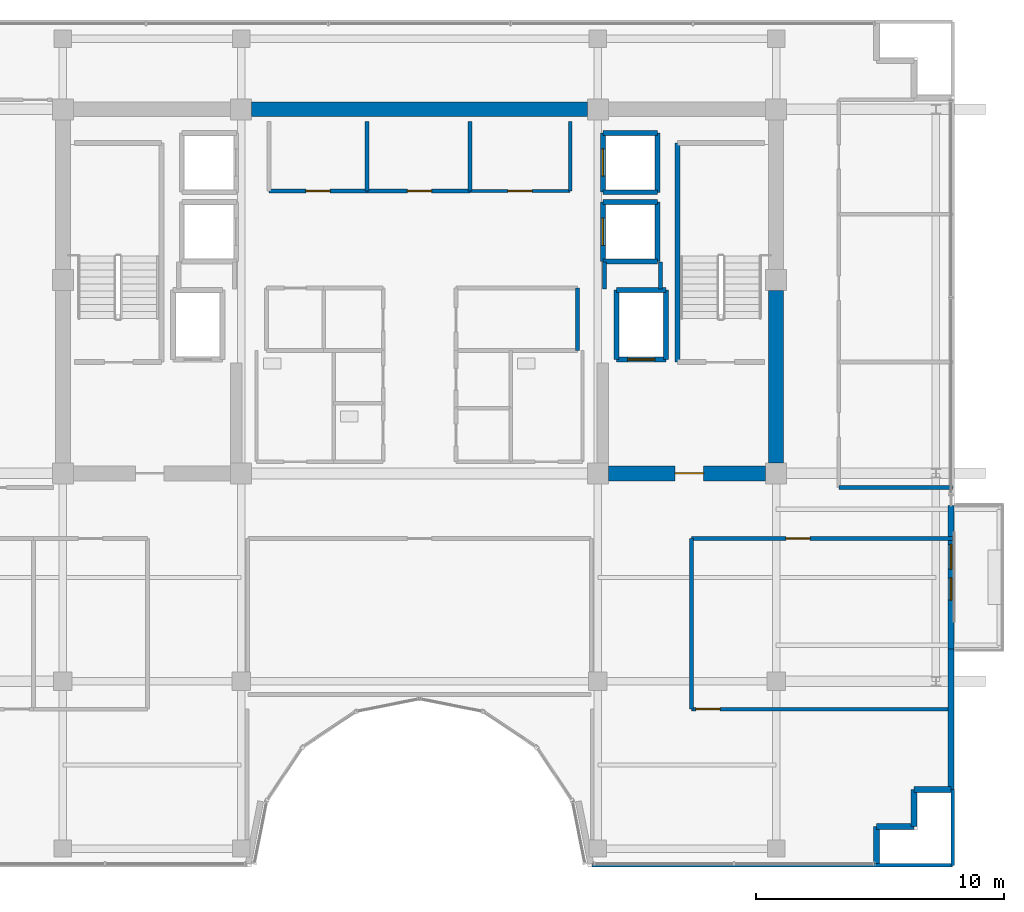
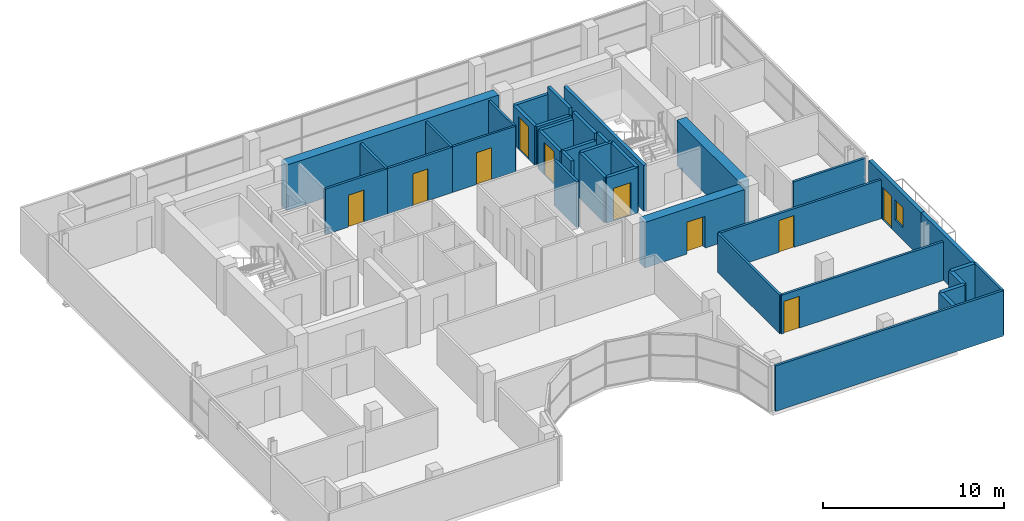
# One storey, part 25 of 29: 37 walls, 10 doors, 1 window, 11 openings.
"""IFC4 building model written with IfcOpenShell, lengths in metres."""

from ifc_helpers import new_model, si_unit, direction, frame, frame_2d, origin, place, context, subcontext, project, spatial, rectangle, extrude, source, transform, mapped, material, layer, layer_set, type_object, element, fill, save


model = new_model("IFC4")

# Units and contexts
model_context = context("Model", 3, precision=1e-05, world=origin(), true_north=direction((0.0, 1.0)))
body_context = subcontext(model_context, "Body", "Model", "MODEL_VIEW")
ifc_project = project(units=[si_unit("LENGTHUNIT", "METRE"), si_unit("AREAUNIT", "SQUARE_METRE"), si_unit("VOLUMEUNIT", "CUBIC_METRE"), si_unit("PLANEANGLEUNIT", "RADIAN"), si_unit("MASSUNIT", "GRAM", prefix="KILO")], contexts=[model_context])

# Site, building, storey
site_placement = place(None, origin())
site = spatial("IfcSite", under=ifc_project, at=site_placement, CompositionType="ELEMENT")
building_placement = place(site_placement, origin())
building = spatial("IfcBuilding", under=site, at=building_placement, Name="Zarnakvel Exchange Tower", CompositionType="ELEMENT")
storey_placement = place(building_placement, frame((0.0, 0.0, 258.39990234375)))
storey = spatial("IfcBuildingStorey", under=building, at=storey_placement, Name="L73", CompositionType="ELEMENT", Elevation=258.39990234375)

# Walls
ifc_material_1 = material(Name="Concrete C50/60", Category="concrete")
ifc_layer_1 = layer(ifc_material_1, 0.60009765625)
ifc_layer_set_1 = layer_set([ifc_layer_1], Name="Concrete C50/60")
wall_type_1 = type_object("IfcWallType", Name="CW-C5", PredefinedType="SHEAR", material=ifc_layer_set_1)
wall_1_placement = place(storey_placement, frame((-6.77490234375, 13.5, 0.0), z_axis=(0.0, 0.0, 1.0), x_axis=(1.0, 0.0, 0.0)))
element("IfcWall", 1, at=wall_1_placement, inside=storey, type_object=wall_type_1, Name="L73 Rear Core Shear Wall N2 (CW-C5)", PredefinedType="SHEAR", context=body_context, shape_type="SweptSolid", body=[
    extrude(rectangle(XDim=13.5498046875, YDim=0.60009765625, at=frame_2d((6.77490234375, 0.0))), origin(), (0.0, 0.0, 1.0), 3.0751953125),
])
wall_2_placement = place(storey_placement, frame((14.39990234375, -0.77490234375, 0.0), z_axis=(0.0, 0.0, 1.0), x_axis=(0.0, 1.0, 0.0)))
element("IfcWall", 2, at=wall_2_placement, inside=storey, type_object=wall_type_1, Name="L73 Rear Core Shear Wall E1 (CW-C5)", PredefinedType="SHEAR", context=body_context, shape_type="SweptSolid", body=[
    extrude(rectangle(XDim=6.949951171875, YDim=0.60009765625, at=frame_2d((3.47509765625, 0.0))), origin(), (0.0, 0.0, 1.0), 3.0751953125),
])

# Wall, opening, door
wall_3_placement = place(storey_placement, frame((13.97509765625, -1.199951171875, 0.0), z_axis=(0.0, 0.0, 1.0), x_axis=(-1.0, 0.0, 0.0)))
wall_3 = element("IfcWall", 3, at=wall_3_placement, inside=storey, type_object=wall_type_1, Name="L73 Rear Core Shear Wall SE (CW-C5)", PredefinedType="SHEAR", context=body_context, shape_type="SweptSolid", body=[
    extrude(rectangle(XDim=6.35009765625, YDim=0.60009765625, at=frame_2d((3.175048828125, 0.0))), origin(), (0.0, 0.0, 1.0), 3.0751953125),
])
opening_1_placement = place(wall_3_placement, frame((2.5, 0.0, 0.0)))
opening_1 = element("IfcOpeningElement", 4, at=opening_1_placement, cuts=wall_3, Name="Opening D-L73-04", PredefinedType="OPENING", context=body_context, shape_type="SweptSolid", body=[
    extrude(rectangle(XDim=1.14990234375, YDim=2.14990234375, at=frame_2d((0.574951171875, 1.074951171875))), frame((0.0, 0.31005859375, 0.0), z_axis=(0.0, -1.0, 0.0), x_axis=(1.0, 0.0, 0.0)), (0.0, 0.0, 1.0), 0.6201171875),
])
ifc_material_2 = material(Name="Painted Galvanised Steel S355", Category="steel")
door_type_1 = type_object("IfcDoorType", Name="DT-04", OperationType="NOTDEFINED", PredefinedType="DOOR", material=ifc_material_2)
shared_shape_1 = source(origin(), body_context, "Body", "SweptSolid", [
    extrude(rectangle(XDim=1.14990234375, YDim=2.14990234375, at=frame_2d((0.574951171875, 1.074951171875))), frame((0.0, 0.02490234375, 0.0), z_axis=(0.0, -1.0, 0.0), x_axis=(1.0, 0.0, 0.0)), (0.0, 0.0, 1.0), 0.050048828125),
])
door_1_placement = place(opening_1_placement, origin())
door_1 = element("IfcDoor", 5, at=door_1_placement, inside=storey, type_object=door_type_1, Name="L73 Firefighting Lobby East Door D-L73-04", OperationType="SINGLE_SWING_RIGHT", OverallHeight=2.14990234375, OverallWidth=1.14990234375, PredefinedType="DOOR", context=body_context, shape_type="MappedRepresentation", body=[
    mapped(shared_shape_1, transform((0.0, 0.0, 0.0), x_axis=(1.0, 0.0, 0.0), y_axis=(0.0, 1.0, 0.0), z_axis=(0.0, 0.0, 1.0), scale=1.0)),
])
fill(opening_1, door_1)

# Wall, openings, door, window
ifc_material_3 = material(Name="Precast concrete C40/50", Category="concrete")
ifc_layer_2 = layer(ifc_material_3, 0.239990234375)
ifc_layer_set_2 = layer_set([ifc_layer_2], Name="Precast concrete C40/50")
wall_type_2 = type_object("IfcWallType", Name="EW-02", PredefinedType="SOLIDWALL", material=ifc_layer_set_2)
wall_4_placement = place(storey_placement, frame((21.4599609375, -2.5, 0.0), z_axis=(0.0, 0.0, 1.0), x_axis=(0.0, -1.0, 0.0)))
wall_4 = element("IfcWall", 6, at=wall_4_placement, inside=storey, type_object=wall_type_2, Name="L73 Exterior Precast Spandrel Wall EW-BAL-L73-E (EW-02)", PredefinedType="SOLIDWALL", context=body_context, shape_type="SweptSolid", body=[
    extrude(rectangle(XDim=5.800048828125, YDim=0.239990234375, at=frame_2d((2.89990234375, 0.0))), origin(), (0.0, 0.0, 1.0), 3.0751953125),
])
opening_2_placement = place(wall_4_placement, frame((1.56591796875, 0.0, 0.0)))
opening_2 = element("IfcOpeningElement", 7, at=opening_2_placement, cuts=wall_4, Name="Opening BD-L73-01", PredefinedType="OPENING", context=body_context, shape_type="SweptSolid", body=[
    extrude(rectangle(XDim=1.0, YDim=2.199951171875, at=frame_2d((0.5, 1.10009765625))), frame((0.0, 0.1298828125, 0.0), z_axis=(0.0, -1.0, 0.0), x_axis=(1.0, 0.0, 0.0)), (0.0, 0.0, 1.0), 0.260009765625),
])
opening_3_placement = place(wall_4_placement, frame((2.916015625, 0.0, 0.85009765625)))
opening_3 = element("IfcOpeningElement", 8, at=opening_3_placement, cuts=wall_4, Name="Opening WN-06", PredefinedType="OPENING", context=body_context, shape_type="SweptSolid", body=[
    extrude(rectangle(XDim=0.89990234375, YDim=1.35009765625, at=frame_2d((0.449951171875, 0.675048828125))), frame((0.0, 0.1298828125, 0.0), z_axis=(0.0, -1.0, 0.0), x_axis=(1.0, 0.0, 0.0)), (0.0, 0.0, 1.0), 0.260009765625),
])
ifc_material_4 = material(Name="Architectural Bronze Anodised Aluminium", Category="aluminium")
door_type_2 = type_object("IfcDoorType", Name="DT-09", OperationType="NOTDEFINED", PredefinedType="DOOR", material=ifc_material_4)
shared_shape_2 = source(origin(), body_context, "Body", "SweptSolid", [
    extrude(rectangle(XDim=1.0, YDim=2.199951171875, at=frame_2d((0.5, 1.10009765625))), frame((0.0, 0.02490234375, 0.0), z_axis=(0.0, -1.0, 0.0), x_axis=(1.0, 0.0, 0.0)), (0.0, 0.0, 1.0), 0.050048828125),
])
door_2_placement = place(opening_2_placement, origin())
door_2 = element("IfcDoor", 9, at=door_2_placement, inside=storey, type_object=door_type_2, Name="L73 Planted Loggia Balcony Door BD-L73-01", OperationType="SINGLE_SWING_LEFT", OverallHeight=2.199951171875, OverallWidth=1.0, PredefinedType="DOOR", context=body_context, shape_type="MappedRepresentation", body=[
    mapped(shared_shape_2, transform((0.0, 0.0, 0.0), x_axis=(1.0, 0.0, 0.0), y_axis=(0.0, 1.0, 0.0), z_axis=(0.0, 0.0, 1.0), scale=1.0)),
])
fill(opening_2, door_2)
ifc_material_5 = material(Name="Double Low-E Laminated Vision Glass", Category="glass")
window_type = type_object("IfcWindowType", Name="WN-06", PartitioningType="SINGLE_PANEL", PredefinedType="WINDOW", material=ifc_material_5)
shared_shape_3 = source(origin(), body_context, "Body", "SweptSolid", [
    extrude(rectangle(XDim=0.89990234375, YDim=1.35009765625, at=frame_2d((0.449951171875, 0.675048828125))), frame((0.0, 0.030029296875, 0.0), z_axis=(0.0, -1.0, 0.0), x_axis=(1.0, 0.0, 0.0)), (0.0, 0.0, 1.0), 0.06005859375),
])
window_placement = place(opening_3_placement, origin())
window = element("IfcWindow", 10, at=window_placement, inside=storey, type_object=window_type, Name="L73 Loggia Daylight Window (WN-06)", OverallHeight=1.35009765625, OverallWidth=0.89990234375, PartitioningType="SINGLE_PANEL", PredefinedType="WINDOW", context=body_context, shape_type="MappedRepresentation", body=[
    mapped(shared_shape_3, transform((0.0, 0.0, 0.0), x_axis=(1.0, 0.0, 0.0), y_axis=(0.0, 1.0, 0.0), z_axis=(0.0, 0.0, 1.0), scale=1.0)),
])
fill(opening_3, window)

# Walls
wall_5_placement = place(storey_placement, frame((21.4599609375, -13.9599609375, 0.0), z_axis=(0.0, 0.0, 1.0), x_axis=(0.0, 1.0, 0.0)))
element("IfcWall", 11, at=wall_5_placement, inside=storey, type_object=wall_type_2, Name="L73 Exterior Precast Spandrel Wall EWC-L73-10 (EW-02)", PredefinedType="SOLIDWALL", context=body_context, shape_type="SweptSolid", body=[
    extrude(rectangle(XDim=5.659912109375, YDim=0.239990234375, at=frame_2d((2.830078125, 0.0))), origin(), (0.0, 0.0, 1.0), 3.0751953125),
])
for number, where, z_axis, x_axis, name in (
    (12, (19.9599609375, -13.9599609375, 0.0), (0.0, 0.0, 1.0), (1.0, 0.0, 0.0), "L73 Exterior Precast Spandrel Wall EWC-L73-11 (EW-02)"),
    (13, (19.9599609375, -15.4599609375, 0.0), (0.0, 0.0, 1.0), (0.0, 1.0, 0.0), "L73 Exterior Precast Spandrel Wall EWC-L73-12 (EW-02)"),
    (14, (18.4599609375, -15.4599609375, 0.0), (0.0, 0.0, 1.0), (1.0, 0.0, 0.0), "L73 Exterior Precast Spandrel Wall EWC-L73-13 (EW-02)"),
    (15, (18.4599609375, -16.9599609375, 0.0), (0.0, 0.0, 1.0), (0.0, 1.0, 0.0), "L73 Exterior Precast Spandrel Wall EWC-L73-14 (EW-02)"),
):
    element("IfcWall", number, at=place(storey_placement, frame(where, z_axis=z_axis, x_axis=x_axis)), inside=storey, type_object=wall_type_2, Name=name, PredefinedType="SOLIDWALL", context=body_context, shape_type="SweptSolid", body=[
        extrude(rectangle(XDim=1.5, YDim=0.239990234375, at=frame_2d((0.75, 0.0))), origin(), (0.0, 0.0, 1.0), 3.0751953125),
    ])

# Wall, opening, door
ifc_material_6 = material(Name="Fire-Rated Gypsum Stud Partition", Category="gypsum")
ifc_layer_3 = layer(ifc_material_6, 0.14990234375)
ifc_layer_set_3 = layer_set([ifc_layer_3], Name="Fire-Rated Gypsum Stud Partition")
wall_type_3 = type_object("IfcWallType", Name="PT-01", PredefinedType="PARTITIONING", material=ifc_layer_set_3)
wall_6_placement = place(storey_placement, frame((-2.1201171875, 10.199951171875, 0.0), z_axis=(0.0, 0.0, 1.0), x_axis=(-1.0, 0.0, 0.0)))
wall_6 = element("IfcWall", 16, at=wall_6_placement, inside=storey, type_object=wall_type_3, Name="L73 Partition Wall PWALL-L73-011 (PT-01)", PredefinedType="PARTITIONING", context=body_context, shape_type="SweptSolid", body=[
    extrude(rectangle(XDim=3.9599609375, YDim=0.14990234375, at=frame_2d((1.97998046875, 0.0))), origin(), (0.0, 0.0, 1.0), 3.0751953125),
])
opening_4_placement = place(wall_6_placement, frame((1.489990234375, 0.0, 0.0)))
opening_4 = element("IfcOpeningElement", 17, at=opening_4_placement, cuts=wall_6, Name="Opening D-L73-05", PredefinedType="OPENING", context=body_context, shape_type="SweptSolid", body=[
    extrude(rectangle(XDim=0.97998046875, YDim=2.14990234375, at=frame_2d((0.489990234375, 1.074951171875))), frame((0.0, 0.0849609375, 0.0), z_axis=(0.0, -1.0, 0.0), x_axis=(1.0, 0.0, 0.0)), (0.0, 0.0, 1.0), 0.169921875),
])
ifc_material_7 = material(Name="Timber Acoustic Veneer", Category="wood")
door_type_3 = type_object("IfcDoorType", Name="DT-05", OperationType="NOTDEFINED", PredefinedType="DOOR", material=ifc_material_7)
shared_shape_4 = source(origin(), body_context, "Body", "SweptSolid", [
    extrude(rectangle(XDim=0.97998046875, YDim=2.14990234375, at=frame_2d((0.489990234375, 1.074951171875))), frame((0.0, 0.02490234375, 0.0), z_axis=(0.0, -1.0, 0.0), x_axis=(1.0, 0.0, 0.0)), (0.0, 0.0, 1.0), 0.050048828125),
])
door_3_placement = place(opening_4_placement, origin())
door_3 = element("IfcDoor", 18, at=door_3_placement, inside=storey, type_object=door_type_3, Name="L73 Clearing Records Office Door D-L73-05", OperationType="SINGLE_SWING_LEFT", OverallHeight=2.14990234375, OverallWidth=0.97998046875, PredefinedType="DOOR", context=body_context, shape_type="MappedRepresentation", body=[
    mapped(shared_shape_4, transform((0.0, 0.0, 0.0), x_axis=(1.0, 0.0, 0.0), y_axis=(0.0, 1.0, 0.0), z_axis=(0.0, 0.0, 1.0), scale=1.0)),
])
fill(opening_4, door_3)

# Wall
wall_7_placement = place(storey_placement, frame((-2.1201171875, 13.0, 0.0), z_axis=(0.0, 0.0, 1.0), x_axis=(0.0, -1.0, 0.0)))
element("IfcWall", 19, at=wall_7_placement, inside=storey, type_object=wall_type_3, Name="L73 Partition Wall PWALL-L73-013 (PT-01)", PredefinedType="PARTITIONING", context=body_context, shape_type="SweptSolid", body=[
    extrude(rectangle(XDim=2.800048828125, YDim=0.14990234375, at=frame_2d((1.39990234375, 0.0))), origin(), (0.0, 0.0, 1.0), 3.0751953125),
])

# Wall, opening, door
wall_8_placement = place(storey_placement, frame((2.0400390625, 10.199951171875, 0.0), z_axis=(0.0, 0.0, 1.0), x_axis=(-1.0, 0.0, 0.0)))
wall_8 = element("IfcWall", 20, at=wall_8_placement, inside=storey, type_object=wall_type_3, Name="L73 Partition Wall PWALL-L73-014 (PT-01)", PredefinedType="PARTITIONING", context=body_context, shape_type="SweptSolid", body=[
    extrude(rectangle(XDim=4.16015625, YDim=0.14990234375, at=frame_2d((2.080078125, 0.0))), origin(), (0.0, 0.0, 1.0), 3.0751953125),
])
opening_5_placement = place(wall_8_placement, frame((1.550048828125, 0.0, 0.0)))
opening_5 = element("IfcOpeningElement", 21, at=opening_5_placement, cuts=wall_8, Name="Opening D-L73-06", PredefinedType="OPENING", context=body_context, shape_type="SweptSolid", body=[
    extrude(rectangle(XDim=0.97998046875, YDim=2.14990234375, at=frame_2d((0.489990234375, 1.074951171875))), frame((0.0, 0.0849609375, 0.0), z_axis=(0.0, -1.0, 0.0), x_axis=(1.0, 0.0, 0.0)), (0.0, 0.0, 1.0), 0.169921875),
])
door_4_placement = place(opening_5_placement, origin())
door_4 = element("IfcDoor", 22, at=door_4_placement, inside=storey, type_object=door_type_3, Name="L73 Brokerage Filing Room Door D-L73-06", OperationType="SINGLE_SWING_RIGHT", OverallHeight=2.14990234375, OverallWidth=0.97998046875, PredefinedType="DOOR", context=body_context, shape_type="MappedRepresentation", body=[
    mapped(shared_shape_4, transform((0.0, 0.0, 0.0), x_axis=(1.0, 0.0, 0.0), y_axis=(0.0, 1.0, 0.0), z_axis=(0.0, 0.0, 1.0), scale=1.0)),
])
fill(opening_5, door_4)

# Walls
wall_9_placement = place(storey_placement, frame((2.0400390625, 13.0, 0.0), z_axis=(0.0, 0.0, 1.0), x_axis=(0.0, -1.0, 0.0)))
element("IfcWall", 23, at=wall_9_placement, inside=storey, type_object=wall_type_3, Name="L73 Partition Wall PWALL-L73-015 (PT-01)", PredefinedType="PARTITIONING", context=body_context, shape_type="SweptSolid", body=[
    extrude(rectangle(XDim=2.800048828125, YDim=0.14990234375, at=frame_2d((1.39990234375, 0.0))), origin(), (0.0, 0.0, 1.0), 3.0751953125),
])
wall_10_placement = place(storey_placement, frame((6.3798828125, 6.280029296875, 0.0), z_axis=(0.0, 0.0, 1.0), x_axis=(0.0, -1.0, 0.0)))
element("IfcWall", 24, at=wall_10_placement, inside=storey, type_object=wall_type_3, Name="L73 Partition Wall PWALL-L73-028 (PT-01)", PredefinedType="PARTITIONING", context=body_context, shape_type="SweptSolid", body=[
    extrude(rectangle(XDim=2.52001953125, YDim=0.14990234375, at=frame_2d((1.260009765625, 0.0))), origin(), (0.0, 0.0, 1.0), 3.0751953125),
])

# Wall, opening, door
wall_11_placement = place(storey_placement, frame((21.530029296875, -10.719970703125, 0.0), z_axis=(0.0, 0.0, 1.0), x_axis=(-1.0, 0.0, 0.0)))
wall_11 = element("IfcWall", 25, at=wall_11_placement, inside=storey, type_object=wall_type_3, Name="L73 Partition Wall PWALL-L73-054 (PT-01)", PredefinedType="PARTITIONING", context=body_context, shape_type="SweptSolid", body=[
    extrude(rectangle(XDim=10.550048828125, YDim=0.14990234375, at=frame_2d((5.27490234375, 0.0))), origin(), (0.0, 0.0, 1.0), 2.614990234375),
])
opening_6_placement = place(wall_11_placement, frame((9.389892578125, 0.0, 0.0)))
opening_6 = element("IfcOpeningElement", 26, at=opening_6_placement, cuts=wall_11, Name="Opening D-L73-21", PredefinedType="OPENING", context=body_context, shape_type="SweptSolid", body=[
    extrude(rectangle(XDim=0.97998046875, YDim=2.14990234375, at=frame_2d((0.489990234375, 1.074951171875))), frame((0.0, 0.0849609375, 0.0), z_axis=(0.0, -1.0, 0.0), x_axis=(1.0, 0.0, 0.0)), (0.0, 0.0, 1.0), 0.169921875),
])
door_5_placement = place(opening_6_placement, origin())
door_5 = element("IfcDoor", 27, at=door_5_placement, inside=storey, type_object=door_type_3, Name="L73 Clearing Office Door D-L73-21", OperationType="SINGLE_SWING_LEFT", OverallHeight=2.14990234375, OverallWidth=0.97998046875, PredefinedType="DOOR", context=body_context, shape_type="MappedRepresentation", body=[
    mapped(shared_shape_4, transform((0.0, 0.0, 0.0), x_axis=(1.0, 0.0, 0.0), y_axis=(0.0, 1.0, 0.0), z_axis=(0.0, 0.0, 1.0), scale=1.0)),
])
fill(opening_6, door_5)

wall_12_placement = place(storey_placement, frame((10.97998046875, -3.830078125, 0.0), z_axis=(0.0, 0.0, 1.0), x_axis=(1.0, 0.0, 0.0)))
wall_12 = element("IfcWall", 28, at=wall_12_placement, inside=storey, type_object=wall_type_3, Name="L73 Partition Wall PWALL-L73-055 (PT-01)", PredefinedType="PARTITIONING", context=body_context, shape_type="SweptSolid", body=[
    extrude(rectangle(XDim=10.550048828125, YDim=0.14990234375, at=frame_2d((5.27490234375, 0.0))), origin(), (0.0, 0.0, 1.0), 2.614990234375),
])
opening_7_placement = place(wall_12_placement, frame((3.81005859375, 0.0, 0.0)))
opening_7 = element("IfcOpeningElement", 29, at=opening_7_placement, cuts=wall_12, Name="Opening D-L73-20", PredefinedType="OPENING", context=body_context, shape_type="SweptSolid", body=[
    extrude(rectangle(XDim=0.97998046875, YDim=2.14990234375, at=frame_2d((0.489990234375, 1.074951171875))), frame((0.0, 0.0849609375, 0.0), z_axis=(0.0, -1.0, 0.0), x_axis=(1.0, 0.0, 0.0)), (0.0, 0.0, 1.0), 0.169921875),
])
door_6_placement = place(opening_7_placement, origin())
door_6 = element("IfcDoor", 30, at=door_6_placement, inside=storey, type_object=door_type_3, Name="L73 Executive Office Door D-L73-20", OperationType="SINGLE_SWING_RIGHT", OverallHeight=2.14990234375, OverallWidth=0.97998046875, PredefinedType="DOOR", context=body_context, shape_type="MappedRepresentation", body=[
    mapped(shared_shape_4, transform((0.0, 0.0, 0.0), x_axis=(1.0, 0.0, 0.0), y_axis=(0.0, 1.0, 0.0), z_axis=(0.0, 0.0, 1.0), scale=1.0)),
])
fill(opening_7, door_6)

# Walls
wall_13_placement = place(storey_placement, frame((10.97998046875, -10.719970703125, 0.0), z_axis=(0.0, 0.0, 1.0), x_axis=(0.0, 1.0, 0.0)))
element("IfcWall", 31, at=wall_13_placement, inside=storey, type_object=wall_type_3, Name="L73 Partition Wall PWALL-L73-056 (PT-01)", PredefinedType="PARTITIONING", context=body_context, shape_type="SweptSolid", body=[
    extrude(rectangle(XDim=6.889892578125, YDim=0.14990234375, at=frame_2d((3.44482421875, 0.0))), origin(), (0.0, 0.0, 1.0), 2.614990234375),
])
wall_14_placement = place(storey_placement, frame((21.530029296875, -17.030029296875, 0.0), z_axis=(0.0, 0.0, 1.0), x_axis=(-1.0, 0.0, 0.0)))
element("IfcWall", 32, at=wall_14_placement, inside=storey, type_object=wall_type_3, Name="L73 Partition Wall PWALL-L73-058 (PT-01)", PredefinedType="PARTITIONING", context=body_context, shape_type="SweptSolid", body=[
    extrude(rectangle(XDim=14.56005859375, YDim=0.14990234375, at=frame_2d((7.280029296875, 0.0))), origin(), (0.0, 0.0, 1.0), 3.0751953125),
])
wall_15_placement = place(storey_placement, frame((21.530029296875, -13.9599609375, 0.0), z_axis=(0.0, 0.0, 1.0), x_axis=(0.0, -1.0, 0.0)))
element("IfcWall", 33, at=wall_15_placement, inside=storey, type_object=wall_type_3, Name="L73 Partition Wall PWALL-L73-060 (PT-01)", PredefinedType="PARTITIONING", context=body_context, shape_type="SweptSolid", body=[
    extrude(rectangle(XDim=3.070068359375, YDim=0.14990234375, at=frame_2d((1.53515625, 0.0))), origin(), (0.0, 0.0, 1.0), 3.0751953125),
])
wall_16_placement = place(storey_placement, frame((21.530029296875, -1.77001953125, 0.0), z_axis=(0.0, 0.0, 1.0), x_axis=(-1.0, 0.0, 0.0)))
element("IfcWall", 34, at=wall_16_placement, inside=storey, type_object=wall_type_3, Name="L73 Partition Wall PWALL-L73-068 (PT-01)", PredefinedType="PARTITIONING", context=body_context, shape_type="SweptSolid", body=[
    extrude(rectangle(XDim=4.60009765625, YDim=0.14990234375, at=frame_2d((2.300048828125, 0.0))), origin(), (0.0, 0.0, 1.0), 2.76513671875),
])
ifc_layer_4 = layer(ifc_material_6, 0.179931640625)
ifc_layer_set_4 = layer_set([ifc_layer_4], Name="Fire-Rated Gypsum Stud Partition")
wall_type_4 = type_object("IfcWallType", Name="PT-02", PredefinedType="PARTITIONING", material=ifc_layer_set_4)
wall_17_placement = place(storey_placement, frame((7.469970703125, 6.239990234375, 0.0), z_axis=(0.0, 0.0, 1.0), x_axis=(0.0, 1.0, 0.0)))
element("IfcWall", 35, at=wall_17_placement, inside=storey, type_object=wall_type_4, Name="L73 Partition Wall PWALL-L73-009 (PT-02)", PredefinedType="PARTITIONING", context=body_context, shape_type="SweptSolid", body=[
    extrude(rectangle(XDim=1.090087890625, YDim=0.179931640625, at=frame_2d((0.544921875, 0.0))), origin(), (0.0, 0.0, 1.0), 2.614990234375),
])
wall_18_placement = place(storey_placement, frame((9.72998046875, 7.330078125, 0.0), z_axis=(0.0, 0.0, 1.0), x_axis=(0.0, -1.0, 0.0)))
element("IfcWall", 36, at=wall_18_placement, inside=storey, type_object=wall_type_4, Name="L73 Partition Wall PWALL-L73-010 (PT-02)", PredefinedType="PARTITIONING", context=body_context, shape_type="SweptSolid", body=[
    extrude(rectangle(XDim=1.090087890625, YDim=0.179931640625, at=frame_2d((0.544921875, 0.0))), origin(), (0.0, 0.0, 1.0), 3.0751953125),
])

# Wall, opening, door
ifc_material_8 = material(Name="Moisture-Resistant Tile-Faced Partition", Category="gypsum")
ifc_layer_5 = layer(ifc_material_8, 0.135009765625)
ifc_layer_set_5 = layer_set([ifc_layer_5], Name="Moisture-Resistant Tile-Faced Partition")
wall_type_5 = type_object("IfcWallType", Name="PT-03", PredefinedType="PARTITIONING", material=ifc_layer_set_5)
wall_19_placement = place(storey_placement, frame((6.080078125, 10.199951171875, 0.0), z_axis=(0.0, 0.0, 1.0), x_axis=(-1.0, 0.0, 0.0)))
wall_19 = element("IfcWall", 37, at=wall_19_placement, inside=storey, type_object=wall_type_5, Name="L73 Partition Wall PWALL-L73-016 (PT-03)", PredefinedType="PARTITIONING", context=body_context, shape_type="SweptSolid", body=[
    extrude(rectangle(XDim=4.0400390625, YDim=0.135009765625, at=frame_2d((2.02001953125, 0.0))), origin(), (0.0, 0.0, 1.0), 3.0751953125),
])
opening_8_placement = place(wall_19_placement, frame((1.530029296875, 0.0, 0.0)))
opening_8 = element("IfcOpeningElement", 38, at=opening_8_placement, cuts=wall_19, Name="Opening D-L73-07", PredefinedType="OPENING", context=body_context, shape_type="SweptSolid", body=[
    extrude(rectangle(XDim=0.97998046875, YDim=2.14990234375, at=frame_2d((0.489990234375, 1.074951171875))), frame((0.0, 0.077392578125, 0.0), z_axis=(0.0, -1.0, 0.0), x_axis=(1.0, 0.0, 0.0)), (0.0, 0.0, 1.0), 0.155029296875),
])
door_7_placement = place(opening_8_placement, origin())
door_7 = element("IfcDoor", 39, at=door_7_placement, inside=storey, type_object=door_type_3, Name="L73 Executive Tea Pantry Door D-L73-07", OperationType="SINGLE_SWING_LEFT", OverallHeight=2.14990234375, OverallWidth=0.97998046875, PredefinedType="DOOR", context=body_context, shape_type="MappedRepresentation", body=[
    mapped(shared_shape_4, transform((0.0, 0.0, 0.0), x_axis=(1.0, 0.0, 0.0), y_axis=(0.0, 1.0, 0.0), z_axis=(0.0, 0.0, 1.0), scale=1.0)),
])
fill(opening_8, door_7)

# Wall
wall_20_placement = place(storey_placement, frame((6.080078125, 13.0, 0.0), z_axis=(0.0, 0.0, 1.0), x_axis=(0.0, -1.0, 0.0)))
element("IfcWall", 40, at=wall_20_placement, inside=storey, type_object=wall_type_5, Name="L73 Partition Wall PWALL-L73-017 (PT-03)", PredefinedType="PARTITIONING", context=body_context, shape_type="SweptSolid", body=[
    extrude(rectangle(XDim=2.800048828125, YDim=0.135009765625, at=frame_2d((1.39990234375, 0.0))), origin(), (0.0, 0.0, 1.0), 3.0751953125),
])

# Wall, opening, door
ifc_material_9 = material(Name="Concrete C40/50", Category="concrete")
ifc_layer_6 = layer(ifc_material_9, 0.199951171875)
ifc_layer_set_6 = layer_set([ifc_layer_6], Name="Concrete C40/50")
wall_type_6 = type_object("IfcWallType", Name="SW-01", PredefinedType="SOLIDWALL", material=ifc_layer_set_6)
wall_21_placement = place(storey_placement, frame((9.949951171875, 3.39990234375, 0.0), z_axis=(0.0, 0.0, 1.0), x_axis=(-1.0, 0.0, 0.0)))
wall_21 = element("IfcWall", 41, at=wall_21_placement, inside=storey, type_object=wall_type_6, Name="L73 FL-02 Hoistway Wall South", PredefinedType="SOLIDWALL", context=body_context, shape_type="SweptSolid", body=[
    extrude(rectangle(XDim=2.0, YDim=0.199951171875, at=frame_2d((1.0, 0.0))), origin(), (0.0, 0.0, 1.0), 3.0751953125),
])
opening_9_placement = place(wall_21_placement, frame((0.449951171875, 0.0, 0.0)))
opening_9 = element("IfcOpeningElement", 42, at=opening_9_placement, cuts=wall_21, Name="Opening LD-FL-02-L73", PredefinedType="OPENING", context=body_context, shape_type="SweptSolid", body=[
    extrude(rectangle(XDim=1.10009765625, YDim=2.199951171875, at=frame_2d((0.550048828125, 1.10009765625))), frame((0.0, 0.10986328125, 0.0), z_axis=(0.0, -1.0, 0.0), x_axis=(1.0, 0.0, 0.0)), (0.0, 0.0, 1.0), 0.219970703125),
])
ifc_material_10 = material(Name="Brushed Stainless Steel", Category="steel")
door_type_4 = type_object("IfcDoorType", Name="LDT-01", OperationType="NOTDEFINED", PredefinedType="DOOR", material=ifc_material_10)
shared_shape_5 = source(origin(), body_context, "Body", "SweptSolid", [
    extrude(rectangle(XDim=1.10009765625, YDim=2.199951171875, at=frame_2d((0.550048828125, 1.10009765625))), frame((0.0, 0.02490234375, 0.0), z_axis=(0.0, -1.0, 0.0), x_axis=(1.0, 0.0, 0.0)), (0.0, 0.0, 1.0), 0.050048828125),
])
door_8_placement = place(opening_9_placement, origin())
door_8 = element("IfcDoor", 43, at=door_8_placement, inside=storey, type_object=door_type_4, Name="L73 FL-02 Lift Landing Door LD-FL-02-L73", OperationType="DOUBLE_DOOR_SLIDING", OverallHeight=2.199951171875, OverallWidth=1.10009765625, PredefinedType="DOOR", context=body_context, shape_type="MappedRepresentation", body=[
    mapped(shared_shape_5, transform((0.0, 0.0, 0.0), x_axis=(1.0, 0.0, 0.0), y_axis=(0.0, 1.0, 0.0), z_axis=(0.0, 0.0, 1.0), scale=1.0)),
])
fill(opening_9, door_8)

# Walls
wall_22_placement = place(storey_placement, frame((7.949951171875, 6.199951171875, 0.0), z_axis=(0.0, 0.0, 1.0), x_axis=(1.0, 0.0, 0.0)))
element("IfcWall", 44, at=wall_22_placement, inside=storey, type_object=wall_type_6, Name="L73 FL-02 Hoistway Wall North", PredefinedType="SOLIDWALL", context=body_context, shape_type="SweptSolid", body=[
    extrude(rectangle(XDim=2.0, YDim=0.199951171875, at=frame_2d((1.0, 0.0))), origin(), (0.0, 0.0, 1.0), 3.0751953125),
])
for number, where, z_axis, x_axis, name in (
    (45, (7.949951171875, 3.39990234375, 0.0), (0.0, 0.0, 1.0), (0.0, 1.0, 0.0), "L73 FL-02 Hoistway Wall West"),
    (46, (9.949951171875, 6.199951171875, 0.0), (0.0, 0.0, 1.0), (0.0, -1.0, 0.0), "L73 FL-02 Hoistway Wall East"),
):
    element("IfcWall", number, at=place(storey_placement, frame(where, z_axis=z_axis, x_axis=x_axis)), inside=storey, type_object=wall_type_6, Name=name, PredefinedType="SOLIDWALL", context=body_context, shape_type="SweptSolid", body=[
        extrude(rectangle(XDim=2.800048828125, YDim=0.199951171875, at=frame_2d((1.39990234375, 0.0))), origin(), (0.0, 0.0, 1.0), 3.0751953125),
    ])
for number, where, z_axis, x_axis, name in (
    (47, (9.60009765625, 7.35009765625, 0.0), (0.0, 0.0, 1.0), (-1.0, 0.0, 0.0), "L73 PL-11 Hoistway Wall South"),
    (48, (7.39990234375, 9.75, 0.0), (0.0, 0.0, 1.0), (1.0, 0.0, 0.0), "L73 PL-11 Hoistway Wall North"),
):
    element("IfcWall", number, at=place(storey_placement, frame(where, z_axis=z_axis, x_axis=x_axis)), inside=storey, type_object=wall_type_6, Name=name, PredefinedType="SOLIDWALL", context=body_context, shape_type="SweptSolid", body=[
        extrude(rectangle(XDim=2.2001953125, YDim=0.199951171875, at=frame_2d((1.10009765625, 0.0))), origin(), (0.0, 0.0, 1.0), 2.614990234375),
    ])

# Wall, opening, door
wall_23_placement = place(storey_placement, frame((7.39990234375, 7.35009765625, 0.0), z_axis=(0.0, 0.0, 1.0), x_axis=(0.0, 1.0, 0.0)))
wall_23 = element("IfcWall", 49, at=wall_23_placement, inside=storey, type_object=wall_type_6, Name="L73 PL-11 Hoistway Wall West", PredefinedType="SOLIDWALL", context=body_context, shape_type="SweptSolid", body=[
    extrude(rectangle(XDim=2.39990234375, YDim=0.199951171875, at=frame_2d((1.199951171875, 0.0))), origin(), (0.0, 0.0, 1.0), 2.614990234375),
])
opening_10_placement = place(wall_23_placement, frame((0.64990234375, 0.0, 0.0)))
opening_10 = element("IfcOpeningElement", 50, at=opening_10_placement, cuts=wall_23, Name="Opening LD-PL-11-L73", PredefinedType="OPENING", context=body_context, shape_type="SweptSolid", body=[
    extrude(rectangle(XDim=1.10009765625, YDim=2.199951171875, at=frame_2d((0.550048828125, 1.10009765625))), frame((0.0, 0.10986328125, 0.0), z_axis=(0.0, -1.0, 0.0), x_axis=(1.0, 0.0, 0.0)), (0.0, 0.0, 1.0), 0.219970703125),
])
door_type_5 = type_object("IfcDoorType", Name="LDT-02", OperationType="NOTDEFINED", PredefinedType="DOOR", material=ifc_material_4)
door_9_placement = place(opening_10_placement, origin())
door_9 = element("IfcDoor", 51, at=door_9_placement, inside=storey, type_object=door_type_5, Name="L73 PL-11 Lift Landing Door LD-PL-11-L73", OperationType="DOUBLE_DOOR_SLIDING", OverallHeight=2.199951171875, OverallWidth=1.10009765625, PredefinedType="DOOR", context=body_context, shape_type="MappedRepresentation", body=[
    mapped(shared_shape_5, transform((0.0, 0.0, 0.0), x_axis=(1.0, 0.0, 0.0), y_axis=(0.0, 1.0, 0.0), z_axis=(0.0, 0.0, 1.0), scale=1.0)),
])
fill(opening_10, door_9)

# Walls
wall_24_placement = place(storey_placement, frame((9.60009765625, 9.75, 0.0), z_axis=(0.0, 0.0, 1.0), x_axis=(0.0, -1.0, 0.0)))
element("IfcWall", 52, at=wall_24_placement, inside=storey, type_object=wall_type_6, Name="L73 PL-11 Hoistway Wall East", PredefinedType="SOLIDWALL", context=body_context, shape_type="SweptSolid", body=[
    extrude(rectangle(XDim=2.39990234375, YDim=0.199951171875, at=frame_2d((1.199951171875, 0.0))), origin(), (0.0, 0.0, 1.0), 3.0751953125),
])
for number, where, z_axis, x_axis, name in (
    (53, (9.60009765625, 10.14990234375, 0.0), (0.0, 0.0, 1.0), (-1.0, 0.0, 0.0), "L73 PL-12 Hoistway Wall South"),
    (54, (7.39990234375, 12.550048828125, 0.0), (0.0, 0.0, 1.0), (1.0, 0.0, 0.0), "L73 PL-12 Hoistway Wall North"),
):
    element("IfcWall", number, at=place(storey_placement, frame(where, z_axis=z_axis, x_axis=x_axis)), inside=storey, type_object=wall_type_6, Name=name, PredefinedType="SOLIDWALL", context=body_context, shape_type="SweptSolid", body=[
        extrude(rectangle(XDim=2.2001953125, YDim=0.199951171875, at=frame_2d((1.10009765625, 0.0))), origin(), (0.0, 0.0, 1.0), 2.614990234375),
    ])

# Wall, opening, door
wall_25_placement = place(storey_placement, frame((7.39990234375, 10.14990234375, 0.0), z_axis=(0.0, 0.0, 1.0), x_axis=(0.0, 1.0, 0.0)))
wall_25 = element("IfcWall", 55, at=wall_25_placement, inside=storey, type_object=wall_type_6, Name="L73 PL-12 Hoistway Wall West", PredefinedType="SOLIDWALL", context=body_context, shape_type="SweptSolid", body=[
    extrude(rectangle(XDim=2.400146484375, YDim=0.199951171875, at=frame_2d((1.2001953125, 0.0))), origin(), (0.0, 0.0, 1.0), 2.614990234375),
])
opening_11_placement = place(wall_25_placement, frame((0.64990234375, 0.0, 0.0)))
opening_11 = element("IfcOpeningElement", 56, at=opening_11_placement, cuts=wall_25, Name="Opening LD-PL-12-L73", PredefinedType="OPENING", context=body_context, shape_type="SweptSolid", body=[
    extrude(rectangle(XDim=1.10009765625, YDim=2.199951171875, at=frame_2d((0.550048828125, 1.10009765625))), frame((0.0, 0.10986328125, 0.0), z_axis=(0.0, -1.0, 0.0), x_axis=(1.0, 0.0, 0.0)), (0.0, 0.0, 1.0), 0.219970703125),
])
door_10_placement = place(opening_11_placement, origin())
door_10 = element("IfcDoor", 57, at=door_10_placement, inside=storey, type_object=door_type_5, Name="L73 PL-12 Lift Landing Door LD-PL-12-L73", OperationType="DOUBLE_DOOR_SLIDING", OverallHeight=2.199951171875, OverallWidth=1.10009765625, PredefinedType="DOOR", context=body_context, shape_type="MappedRepresentation", body=[
    mapped(shared_shape_5, transform((0.0, 0.0, 0.0), x_axis=(1.0, 0.0, 0.0), y_axis=(0.0, 1.0, 0.0), z_axis=(0.0, 0.0, 1.0), scale=1.0)),
])
fill(opening_11, door_10)

# Walls
wall_26_placement = place(storey_placement, frame((9.60009765625, 12.550048828125, 0.0), z_axis=(0.0, 0.0, 1.0), x_axis=(0.0, -1.0, 0.0)))
element("IfcWall", 58, at=wall_26_placement, inside=storey, type_object=wall_type_6, Name="L73 PL-12 Hoistway Wall East", PredefinedType="SOLIDWALL", context=body_context, shape_type="SweptSolid", body=[
    extrude(rectangle(XDim=2.400146484375, YDim=0.199951171875, at=frame_2d((1.2001953125, 0.0))), origin(), (0.0, 0.0, 1.0), 3.0751953125),
])
ifc_layer_7 = layer(ifc_material_9, 0.199951171875)
ifc_layer_set_7 = layer_set([ifc_layer_7], Name="Concrete C40/50")
wall_type_7 = type_object("IfcWallType", Name="SW-02", PredefinedType="SOLIDWALL", material=ifc_layer_set_7)
wall_27_placement = place(storey_placement, frame((10.409912109375, 3.2900390625, 0.0), z_axis=(0.0, 0.0, 1.0), x_axis=(0.0, 1.0, 0.0)))
element("IfcWall", 59, at=wall_27_placement, inside=storey, type_object=wall_type_7, Name="L73 Stairwell Core Wall PWALL-L73-006 (SW-02)", PredefinedType="SOLIDWALL", context=body_context, shape_type="SweptSolid", body=[
    extrude(rectangle(XDim=8.83984375, YDim=0.199951171875, at=frame_2d((4.419921875, 0.0))), origin(), (0.0, 0.0, 1.0), 3.0751953125),
])

save(model, "model.ifc")
